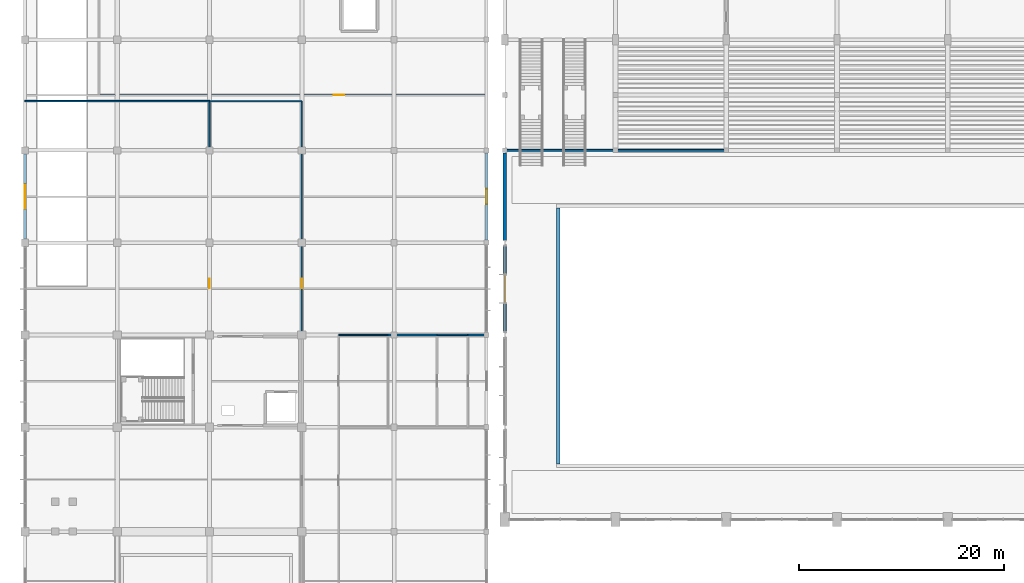
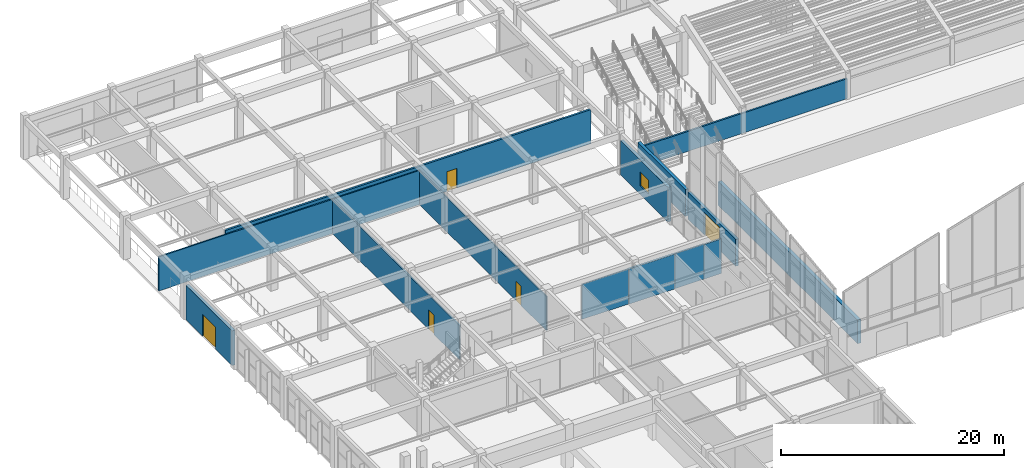
# One storey, part 52 of 82: 15 walls, 5 doors, 1 window, 6 openings.
"""IFC4 building model written with IfcOpenShell, lengths in metres."""

from ifc_helpers import new_model, si_unit, direction, frame, frame_2d, origin, place, context, subcontext, project, spatial, rectangle, extrude, material, layer, layer_set, type_object, element, fill, save


model = new_model("IFC4")

# Units and contexts
model_context = context("Model", 3, precision=1e-05, world=origin(), true_north=direction((0.0, 1.0)))
body_context = subcontext(model_context, "Body", "Model", "MODEL_VIEW")
ifc_project = project(units=[si_unit("LENGTHUNIT", "METRE"), si_unit("AREAUNIT", "SQUARE_METRE"), si_unit("VOLUMEUNIT", "CUBIC_METRE"), si_unit("PLANEANGLEUNIT", "RADIAN"), si_unit("MASSUNIT", "GRAM", prefix="KILO")], contexts=[model_context])

# Site, building, storey
site_placement = place(None, origin())
site = spatial("IfcSite", under=ifc_project, at=site_placement, CompositionType="ELEMENT")
building_placement = place(site_placement, origin())
building = spatial("IfcBuilding", under=site, at=building_placement, Name="Suirenkawa Promenade Aquatics Centre", CompositionType="ELEMENT")
storey_placement = place(building_placement, origin())
storey = spatial("IfcBuildingStorey", under=building, at=storey_placement, Name="L00", CompositionType="ELEMENT", Elevation=0.0)

# Wall
ifc_material_1 = material(Name="Autoclaved aerated concrete blockwork Grade 1", Category="masonry")
ifc_layer_1 = layer(ifc_material_1, 0.199951171875, Name="Autoclaved aerated concrete blockwork Grade 1", Category="masonry")
ifc_layer_set_1 = layer_set([ifc_layer_1], Name="Autoclaved aerated concrete blockwork Grade 1")
wall_type_1 = type_object("IfcWallType", Name="WT-COMP-200", PredefinedType="PARTITIONING", material=ifc_layer_set_1)
wall_1_placement = place(storey_placement, frame((35.39990234375, 68.39990234375, 0.0), z_axis=(0.0, 0.0, 1.0), x_axis=(1.0, 0.0, 0.0)))
element("IfcWall", 1, at=wall_1_placement, inside=storey, type_object=wall_type_1, Name="Interior wall WL-PRT-01 W-7222", PredefinedType="PARTITIONING", context=body_context, shape_type="SweptSolid", body=[
    extrude(rectangle(XDim=4.800048828125, YDim=0.199951171875, at=frame_2d((2.39990234375, 0.0))), origin(), (0.0, 0.0, 1.0), 3.8349609375),
])

# Wall, opening, door
wall_2_placement = place(storey_placement, frame((7.199951171875, 91.800048828125, 0.0), z_axis=(0.0, 0.0, 1.0), x_axis=(1.0, 0.0, 0.0)))
wall_2 = element("IfcWall", 2, at=wall_2_placement, inside=storey, type_object=wall_type_1, Name="Interior wall WL-PRT-01 W-7230", PredefinedType="PARTITIONING", context=body_context, shape_type="SweptSolid", body=[
    extrude(rectangle(XDim=37.800048828125, YDim=0.199951171875, at=frame_2d((18.89990234375, 0.0))), origin(), (0.0, 0.0, 1.0), 3.735107421875),
])
opening_1_placement = place(wall_2_placement, frame((22.910888671875, 0.0, 0.0)))
opening_1 = element("IfcOpeningElement", 3, at=opening_1_placement, cuts=wall_2, Name="Opening ID-04", PredefinedType="OPENING", context=body_context, shape_type="SweptSolid", body=[
    extrude(rectangle(XDim=1.050048828125, YDim=2.14990234375, at=frame_2d((0.52490234375, 1.074951171875))), frame((0.0, 0.10986328125, 0.0), z_axis=(0.0, -1.0, 0.0), x_axis=(1.0, 0.0, 0.0)), (0.0, 0.0, 1.0), 0.219970703125),
])
ifc_material_2 = material(Name="Steel IS 2062 E350 (Grade 350)", Category="steel")
door_type_1 = type_object("IfcDoorType", Name="DT-FD120-1050x2150", OperationType="NOTDEFINED", PredefinedType="DOOR", material=ifc_material_2)
door_1_placement = place(opening_1_placement, origin())
door_1 = element("IfcDoor", 4, at=door_1_placement, inside=storey, type_object=door_type_1, Name="Interior door ID-04 DR-INT-0143", OperationType="SINGLE_SWING_RIGHT", OverallHeight=2.14990234375, OverallWidth=1.050048828125, PredefinedType="DOOR", context=body_context, shape_type="SweptSolid", body=[
    extrude(rectangle(XDim=1.050048828125, YDim=2.14990234375, at=frame_2d((0.52490234375, 1.074951171875))), frame((0.0, 0.02490234375, 0.0), z_axis=(0.0, -1.0, 0.0), x_axis=(1.0, 0.0, 0.0)), (0.0, 0.0, 1.0), 0.050048828125),
])
fill(opening_1, door_1)

# Wall, opening, window
ifc_material_3 = material(Name="Concrete M40", Category="concrete")
ifc_layer_2 = layer(ifc_material_3, 0.2900390625, Name="Concrete M40", Category="concrete")
ifc_layer_set_2 = layer_set([ifc_layer_2], Name="Concrete M40")
wall_type_2 = type_object("IfcWallType", Name="WT-EXT-290", PredefinedType="SOLIDWALL", material=ifc_layer_set_2)
wall_3_placement = place(storey_placement, frame((45.0, 86.14501953125, 0.0), z_axis=(0.0, 0.0, 1.0), x_axis=(0.0, -1.0, 0.0)))
wall_3 = element("IfcWall", 5, at=wall_3_placement, inside=storey, type_object=wall_type_2, Name="Exterior wall WL-EXT-03 W-5101", PredefinedType="SOLIDWALL", context=body_context, shape_type="SweptSolid", body=[
    extrude(rectangle(XDim=8.489990234375, YDim=0.2900390625, at=frame_2d((4.2451171875, 0.0))), origin(), (0.0, 0.0, 1.0), 3.784912109375),
])
opening_2_placement = place(wall_3_placement, frame((3.4951171875, 0.0, 0.949951171875)))
opening_2 = element("IfcOpeningElement", 6, at=opening_2_placement, cuts=wall_3, Name="Opening WN-14", PredefinedType="OPENING", context=body_context, shape_type="SweptSolid", body=[
    extrude(rectangle(XDim=1.5, YDim=1.5, at=frame_2d((0.75, 0.75))), frame((0.0, 0.155029296875, 0.0), z_axis=(0.0, -1.0, 0.0), x_axis=(1.0, 0.0, 0.0)), (0.0, 0.0, 1.0), 0.31005859375),
])
ifc_material_4 = material(Name="Low-E thermally broken double glazing", Category="glass")
window_type = type_object("IfcWindowType", Name="WNT-STD-1500x1500", PartitioningType="SINGLE_PANEL", PredefinedType="WINDOW", material=ifc_material_4)
window_placement = place(opening_2_placement, origin())
window = element("IfcWindow", 7, at=window_placement, inside=storey, type_object=window_type, Name="Window WN-14 WN-0043", OverallHeight=1.5, OverallWidth=1.5, PartitioningType="SINGLE_PANEL", PredefinedType="WINDOW", context=body_context, shape_type="SweptSolid", body=[
    extrude(rectangle(XDim=1.5, YDim=1.5, at=frame_2d((0.75, 0.75))), frame((0.0, 0.030029296875, 0.0), z_axis=(0.0, -1.0, 0.0), x_axis=(1.0, 0.0, 0.0)), (0.0, 0.0, 1.0), 0.06005859375),
])
fill(opening_2, window)

# Wall, opening, door
ifc_layer_3 = layer(ifc_material_3, 0.31005859375, Name="Concrete M40", Category="concrete")
ifc_layer_set_3 = layer_set([ifc_layer_3], Name="Concrete M40")
wall_type_3 = type_object("IfcWallType", Name="WT-EXT-310", PredefinedType="SOLIDWALL", material=ifc_layer_set_3)
wall_4_placement = place(storey_placement, frame((46.800048828125, 68.6298828125, 0.0), z_axis=(0.0, 0.0, 1.0), x_axis=(0.0, 1.0, 0.0)))
wall_4 = element("IfcWall", 8, at=wall_4_placement, inside=storey, type_object=wall_type_3, Name="Exterior wall WL-EXT-02 W-5021", PredefinedType="SOLIDWALL", context=body_context, shape_type="SweptSolid", body=[
    extrude(rectangle(XDim=8.5400390625, YDim=0.31005859375, at=frame_2d((4.27001953125, 0.0))), origin(), (0.0, 0.0, 1.0), 2.929931640625),
])
opening_3_placement = place(wall_4_placement, frame((2.8701171875, 0.0, 0.0)))
opening_3 = element("IfcOpeningElement", 9, at=opening_3_placement, cuts=wall_4, Name="Opening ED-03", PredefinedType="OPENING", context=body_context, shape_type="SweptSolid", body=[
    extrude(rectangle(XDim=2.800048828125, YDim=2.5, at=frame_2d((1.39990234375, 1.25))), frame((0.0, 0.1650390625, 0.0), z_axis=(0.0, -1.0, 0.0), x_axis=(1.0, 0.0, 0.0)), (0.0, 0.0, 1.0), 0.330078125),
])
ifc_material_5 = material(Name="Anodised aluminium 6063-T6", Category="aluminium")
door_type_2 = type_object("IfcDoorType", Name="DT-EXT-EXIT-2800x2500", OperationType="DOUBLE_DOOR_SINGLE_SWING", PredefinedType="DOOR", material=ifc_material_5)
door_2_placement = place(opening_3_placement, origin())
door_2 = element("IfcDoor", 10, at=door_2_placement, inside=storey, type_object=door_type_2, Name="Exterior door ED-03 DR-EXT-016", OperationType="DOUBLE_DOOR_SINGLE_SWING", OverallHeight=2.5, OverallWidth=2.800048828125, PredefinedType="DOOR", context=body_context, shape_type="SweptSolid", body=[
    extrude(rectangle(XDim=2.800048828125, YDim=2.5, at=frame_2d((1.39990234375, 1.25))), frame((0.0, 0.02490234375, 0.0), z_axis=(0.0, -1.0, 0.0), x_axis=(1.0, 0.0, 0.0)), (0.0, 0.0, 1.0), 0.050048828125),
])
fill(opening_3, door_2)

# Wall
wall_5_placement = place(storey_placement, frame((46.800048828125, 77.6298828125, 0.0), z_axis=(0.0, 0.0, 1.0), x_axis=(0.0, 1.0, 0.0)))
element("IfcWall", 11, at=wall_5_placement, inside=storey, type_object=wall_type_3, Name="Exterior wall WL-EXT-02 W-5023", PredefinedType="SOLIDWALL", context=body_context, shape_type="SweptSolid", body=[
    extrude(rectangle(XDim=8.5400390625, YDim=0.31005859375, at=frame_2d((4.27001953125, 0.0))), origin(), (0.0, 0.0, 1.0), 2.929931640625),
])

# Wall, opening, door
wall_6_placement = place(storey_placement, frame((0.0, 77.7548828125, 0.0), z_axis=(0.0, 0.0, 1.0), x_axis=(0.0, 1.0, 0.0)))
wall_6 = element("IfcWall", 12, at=wall_6_placement, inside=storey, type_object=wall_type_3, Name="Exterior wall WL-EXT-02 W-5096", PredefinedType="SOLIDWALL", context=body_context, shape_type="SweptSolid", body=[
    extrude(rectangle(XDim=8.2900390625, YDim=0.31005859375, at=frame_2d((4.14501953125, 0.0))), origin(), (0.0, 0.0, 1.0), 3.784912109375),
])
opening_4_placement = place(wall_6_placement, frame((2.945068359375, 0.0, 0.0)))
opening_4 = element("IfcOpeningElement", 13, at=opening_4_placement, cuts=wall_6, Name="Opening ED-04", PredefinedType="OPENING", context=body_context, shape_type="SweptSolid", body=[
    extrude(rectangle(XDim=2.39990234375, YDim=2.39990234375, at=frame_2d((1.199951171875, 1.199951171875))), frame((0.0, 0.1650390625, 0.0), z_axis=(0.0, -1.0, 0.0), x_axis=(1.0, 0.0, 0.0)), (0.0, 0.0, 1.0), 0.330078125),
])
door_type_3 = type_object("IfcDoorType", Name="DT-EXT-EXIT-2400x2400", OperationType="DOUBLE_DOOR_SINGLE_SWING", PredefinedType="DOOR", material=ifc_material_5)
door_3_placement = place(opening_4_placement, origin())
door_3 = element("IfcDoor", 14, at=door_3_placement, inside=storey, type_object=door_type_3, Name="Exterior door ED-04 DR-EXT-047", OperationType="DOUBLE_DOOR_SINGLE_SWING", OverallHeight=2.39990234375, OverallWidth=2.39990234375, PredefinedType="DOOR", context=body_context, shape_type="SweptSolid", body=[
    extrude(rectangle(XDim=2.39990234375, YDim=2.39990234375, at=frame_2d((1.199951171875, 1.199951171875))), frame((0.0, 0.02490234375, 0.0), z_axis=(0.0, -1.0, 0.0), x_axis=(1.0, 0.0, 0.0)), (0.0, 0.0, 1.0), 0.050048828125),
])
fill(opening_4, door_3)

# Walls
ifc_layer_4 = layer(ifc_material_1, 0.179931640625, Name="Autoclaved aerated concrete blockwork Grade 1", Category="masonry")
ifc_layer_set_4 = layer_set([ifc_layer_4], Name="Autoclaved aerated concrete blockwork Grade 1")
wall_type_4 = type_object("IfcWallType", Name="WT-FIRE-180", PredefinedType="PARTITIONING", material=ifc_layer_set_4)
wall_7_placement = place(storey_placement, frame((46.800048828125, 86.39990234375, 0.0), z_axis=(0.0, 0.0, 1.0), x_axis=(1.0, 0.0, 0.0)))
element("IfcWall", 15, at=wall_7_placement, inside=storey, type_object=wall_type_4, Name="Interior wall WL-PRT-02 W-7317", PredefinedType="PARTITIONING", context=body_context, shape_type="SweptSolid", body=[
    extrude(rectangle(XDim=21.599853515625, YDim=0.179931640625, at=frame_2d((10.7998046875, 0.0))), origin(), (0.0, 0.0, 1.0), 2.195068359375),
])
ifc_material_6 = material(Name="Moisture-resistant acoustic gypsum board")
ifc_layer_5 = layer(ifc_material_6, 0.1201171875, Name="Moisture-resistant acoustic gypsum board")
ifc_layer_set_5 = layer_set([ifc_layer_5], Name="Moisture-resistant acoustic gypsum board")
wall_type_5 = type_object("IfcWallType", Name="WT-LIGHT-120", PredefinedType="PARTITIONING", material=ifc_layer_set_5)
wall_8_placement = place(storey_placement, frame((30.60009765625, 68.39990234375, 0.0), z_axis=(0.0, 0.0, 1.0), x_axis=(1.0, 0.0, 0.0)))
element("IfcWall", 16, at=wall_8_placement, inside=storey, type_object=wall_type_5, Name="Interior wall WL-PRT-05 W-7220", PredefinedType="PARTITIONING", context=body_context, shape_type="SweptSolid", body=[
    extrude(rectangle(XDim=4.7998046875, YDim=0.1201171875, at=frame_2d((2.39990234375, 0.0))), origin(), (0.0, 0.0, 1.0), 3.8349609375),
])

# Wall, opening, door
wall_9_placement = place(storey_placement, frame((27.0, 68.39990234375, 0.0), z_axis=(0.0, 0.0, 1.0), x_axis=(0.0, 1.0, 0.0)))
wall_9 = element("IfcWall", 17, at=wall_9_placement, inside=storey, type_object=wall_type_5, Name="Interior wall WL-PRT-05 W-7228", PredefinedType="PARTITIONING", context=body_context, shape_type="SweptSolid", body=[
    extrude(rectangle(XDim=22.800048828125, YDim=0.1201171875, at=frame_2d((11.39990234375, 0.0))), origin(), (0.0, 0.0, 1.0), 3.735107421875),
])
opening_5_placement = place(wall_9_placement, frame((4.56591796875, 0.0, 0.0)))
opening_5 = element("IfcOpeningElement", 18, at=opening_5_placement, cuts=wall_9, Name="Opening ID-12", PredefinedType="OPENING", context=body_context, shape_type="SweptSolid", body=[
    extrude(rectangle(XDim=0.89990234375, YDim=2.10009765625, at=frame_2d((0.449951171875, 1.050048828125))), frame((0.0, 0.070068359375, 0.0), z_axis=(0.0, -1.0, 0.0), x_axis=(1.0, 0.0, 0.0)), (0.0, 0.0, 1.0), 0.14013671875),
])
ifc_material_7 = material(Name="Engineered maple acoustic sports timber", Category="wood")
door_type_4 = type_object("IfcDoorType", Name="DT-STD-900x2100", OperationType="NOTDEFINED", PredefinedType="DOOR", material=ifc_material_7)
door_4_placement = place(opening_5_placement, origin())
door_4 = element("IfcDoor", 19, at=door_4_placement, inside=storey, type_object=door_type_4, Name="Interior door ID-12 DR-INT-0142", OperationType="SINGLE_SWING_LEFT", OverallHeight=2.10009765625, OverallWidth=0.89990234375, PredefinedType="DOOR", context=body_context, shape_type="SweptSolid", body=[
    extrude(rectangle(XDim=0.89990234375, YDim=2.10009765625, at=frame_2d((0.449951171875, 1.050048828125))), frame((0.0, 0.02490234375, 0.0), z_axis=(0.0, -1.0, 0.0), x_axis=(1.0, 0.0, 0.0)), (0.0, 0.0, 1.0), 0.050048828125),
])
fill(opening_5, door_4)

# Walls
wall_10_placement = place(storey_placement, frame((18.0, 91.199951171875, 0.0), z_axis=(0.0, 0.0, 1.0), x_axis=(1.0, 0.0, 0.0)))
element("IfcWall", 20, at=wall_10_placement, inside=storey, type_object=wall_type_5, Name="Interior wall WL-PRT-05 W-7229", PredefinedType="PARTITIONING", context=body_context, shape_type="SweptSolid", body=[
    extrude(rectangle(XDim=9.0, YDim=0.1201171875, at=frame_2d((4.5, 0.0))), origin(), (0.0, 0.0, 1.0), 3.735107421875),
])
ifc_layer_6 = layer(ifc_material_6, 0.139892578125, Name="Moisture-resistant acoustic gypsum board")
ifc_layer_set_6 = layer_set([ifc_layer_6], Name="Moisture-resistant acoustic gypsum board")
wall_type_6 = type_object("IfcWallType", Name="WT-STD-140", PredefinedType="PARTITIONING", material=ifc_layer_set_6)
wall_11_placement = place(storey_placement, frame((40.199951171875, 68.39990234375, 0.0), z_axis=(0.0, 0.0, 1.0), x_axis=(1.0, 0.0, 0.0)))
element("IfcWall", 21, at=wall_11_placement, inside=storey, type_object=wall_type_6, Name="Interior wall WL-PRT-04 W-7224", PredefinedType="PARTITIONING", context=body_context, shape_type="SweptSolid", body=[
    extrude(rectangle(XDim=3.0, YDim=0.139892578125, at=frame_2d((1.5, 0.0))), origin(), (0.0, 0.0, 1.0), 3.8349609375),
])

# Wall, opening, door
wall_12_placement = place(storey_placement, frame((18.0, 68.39990234375, 0.0), z_axis=(0.0, 0.0, 1.0), x_axis=(0.0, 1.0, 0.0)))
wall_12 = element("IfcWall", 22, at=wall_12_placement, inside=storey, type_object=wall_type_6, Name="Interior wall WL-PRT-04 W-7226", PredefinedType="PARTITIONING", context=body_context, shape_type="SweptSolid", body=[
    extrude(rectangle(XDim=22.800048828125, YDim=0.139892578125, at=frame_2d((11.39990234375, 0.0))), origin(), (0.0, 0.0, 1.0), 3.735107421875),
])
opening_6_placement = place(wall_12_placement, frame((4.541015625, 0.0, 0.0)))
opening_6 = element("IfcOpeningElement", 23, at=opening_6_placement, cuts=wall_12, Name="Opening ID-11", PredefinedType="OPENING", context=body_context, shape_type="SweptSolid", body=[
    extrude(rectangle(XDim=0.949951171875, YDim=2.10009765625, at=frame_2d((0.47509765625, 1.050048828125))), frame((0.0, 0.079833984375, 0.0), z_axis=(0.0, -1.0, 0.0), x_axis=(1.0, 0.0, 0.0)), (0.0, 0.0, 1.0), 0.159912109375),
])
door_type_5 = type_object("IfcDoorType", Name="DT-STD-950x2100", OperationType="NOTDEFINED", PredefinedType="DOOR", material=ifc_material_7)
door_5_placement = place(opening_6_placement, origin())
door_5 = element("IfcDoor", 24, at=door_5_placement, inside=storey, type_object=door_type_5, Name="Interior door ID-11 DR-INT-0141", OperationType="SINGLE_SWING_RIGHT", OverallHeight=2.10009765625, OverallWidth=0.949951171875, PredefinedType="DOOR", context=body_context, shape_type="SweptSolid", body=[
    extrude(rectangle(XDim=0.949951171875, YDim=2.10009765625, at=frame_2d((0.47509765625, 1.050048828125))), frame((0.0, 0.02490234375, 0.0), z_axis=(0.0, -1.0, 0.0), x_axis=(1.0, 0.0, 0.0)), (0.0, 0.0, 1.0), 0.050048828125),
])
fill(opening_6, door_5)

# Walls
wall_13_placement = place(storey_placement, frame((0.0, 91.199951171875, 0.0), z_axis=(0.0, 0.0, 1.0), x_axis=(1.0, 0.0, 0.0)))
element("IfcWall", 25, at=wall_13_placement, inside=storey, type_object=wall_type_6, Name="Interior wall WL-PRT-04 W-7227", PredefinedType="PARTITIONING", context=body_context, shape_type="SweptSolid", body=[
    extrude(rectangle(XDim=18.0, YDim=0.139892578125, at=frame_2d((9.0, 0.0))), origin(), (0.0, 0.0, 1.0), 3.735107421875),
])
ifc_material_8 = material(Name="Waterproof concrete M40", Category="concrete")
ifc_layer_7 = layer(ifc_material_8, 0.35009765625, Name="Waterproof concrete M40", Category="concrete")
ifc_layer_set_7 = layer_set([ifc_layer_7], Name="Waterproof concrete M40")
wall_type_7 = type_object("IfcWallType", Name="WT-TANK-350", PredefinedType="USERDEFINED", material=ifc_layer_set_7)
wall_14_placement = place(storey_placement, frame((52.02490234375, 55.800048828125, -2.5), z_axis=(0.0, 0.0, 1.0), x_axis=(0.0, 1.0, 0.0)))
element("IfcWall", 26, at=wall_14_placement, inside=storey, type_object=wall_type_7, Name="50m Competition Pool west tank wall WL-RET-03 W-0019", ObjectType="RETAININGWALL", PredefinedType="USERDEFINED", context=body_context, shape_type="SweptSolid", body=[
    extrude(rectangle(XDim=25.0, YDim=0.35009765625, at=frame_2d((12.5, 0.0))), origin(), (0.0, 0.0, 1.0), 2.580078125),
])
ifc_layer_8 = layer(ifc_material_1, 0.159912109375, Name="Autoclaved aerated concrete blockwork Grade 1", Category="masonry")
ifc_layer_set_8 = layer_set([ifc_layer_8], Name="Autoclaved aerated concrete blockwork Grade 1")
wall_type_8 = type_object("IfcWallType", Name="WT-WET-160", PredefinedType="PARTITIONING", material=ifc_layer_set_8)
wall_15_placement = place(storey_placement, frame((43.199951171875, 68.39990234375, 0.0), z_axis=(0.0, 0.0, 1.0), x_axis=(1.0, 0.0, 0.0)))
element("IfcWall", 27, at=wall_15_placement, inside=storey, type_object=wall_type_8, Name="Interior wall WL-PRT-03 W-7225", PredefinedType="PARTITIONING", context=body_context, shape_type="SweptSolid", body=[
    extrude(rectangle(XDim=1.800048828125, YDim=0.159912109375, at=frame_2d((0.89990234375, 0.0))), origin(), (0.0, 0.0, 1.0), 3.784912109375),
])

save(model, "model.ifc")
